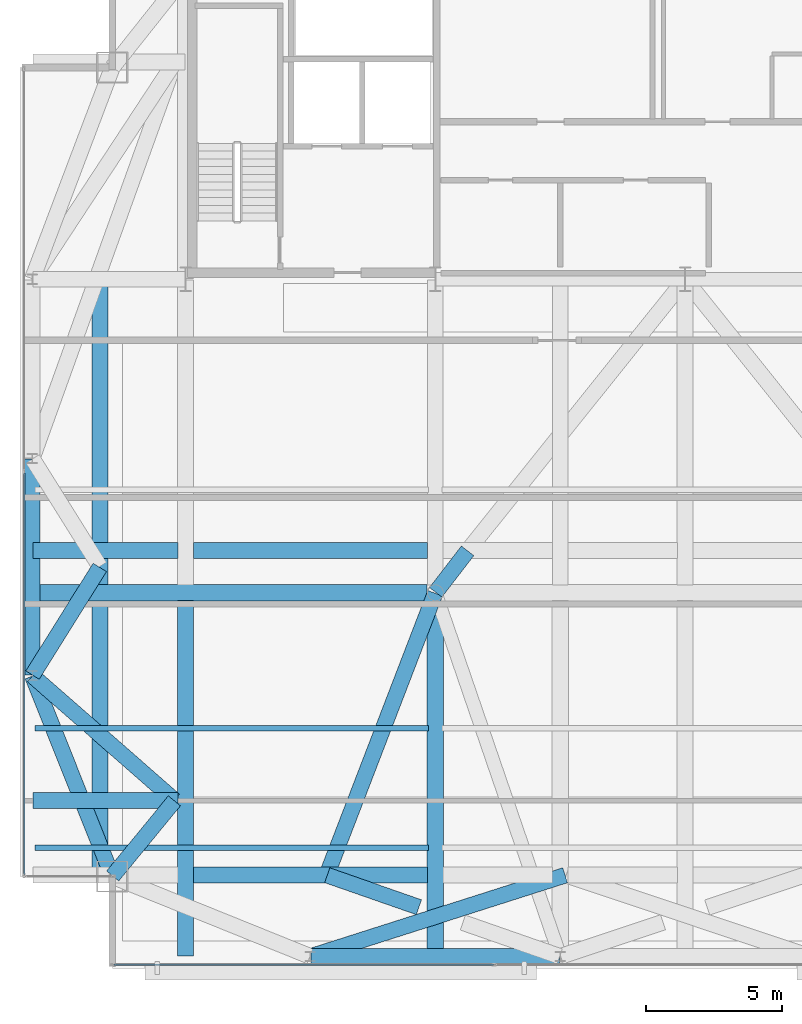
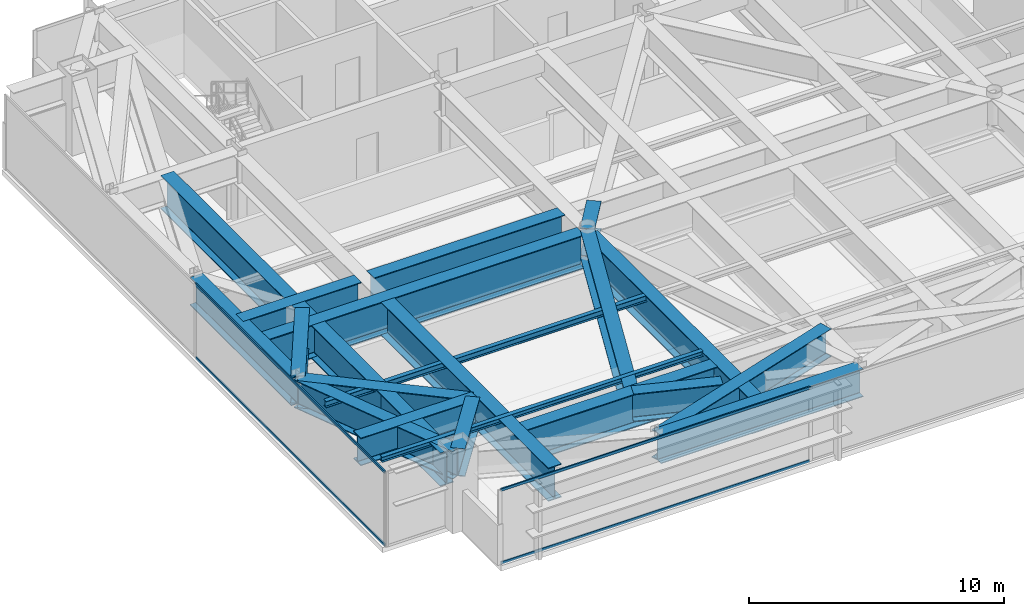
# One storey, part 5 of 23: 20 beams, 4 members, 2 elements without a shape of their own.
"""IFC4 building model written with IfcOpenShell, lengths in metres."""

from ifc_helpers import new_model, si_unit, direction, frame, origin, origin_2d, place, context, subcontext, project, spatial, hollow_rectangle, i_section, extrude, source, transform, mapped, material, layer, layer_set, material_profile, profile_set, type_object, type_shapes, element, aggregate, save


model = new_model("IFC4")

# Units and contexts
model_context = context("Model", 3, precision=1e-05, world=origin(), true_north=direction((0.0, 1.0)))
body_context = subcontext(model_context, "Body", "Model", "MODEL_VIEW")
ifc_project = project(units=[si_unit("LENGTHUNIT", "METRE"), si_unit("AREAUNIT", "SQUARE_METRE"), si_unit("VOLUMEUNIT", "CUBIC_METRE"), si_unit("PLANEANGLEUNIT", "RADIAN"), si_unit("MASSUNIT", "GRAM", prefix="KILO")], contexts=[model_context])

# Site, building, storey
site_placement = place(None, origin())
site = spatial("IfcSite", under=ifc_project, at=site_placement, CompositionType="ELEMENT")
building_placement = place(site_placement, origin())
building = spatial("IfcBuilding", under=site, at=building_placement, Name="Varnel Quay Broadcast Tower", CompositionType="ELEMENT")
storey_placement = place(building_placement, frame((0.0, 0.0, 254.60009765625)))
storey = spatial("IfcBuildingStorey", under=building, at=storey_placement, Name="L63", CompositionType="ELEMENT", Elevation=254.60009765625)

# Beams
ifc_material_1 = material(Name="Structural Steel CSA G40.21 350WT", Category="steel")
ifc_material_profile_1 = material_profile(ifc_material_1, i_section(OverallWidth=0.580078125, OverallDepth=1.330078125, WebThickness=0.02197265625, FlangeThickness=0.0380859375, FilletRadius=0.02001953125, at=origin_2d()), Name="WWF1330X535")
ifc_profile_set_1 = profile_set([ifc_material_profile_1], Name="Structural Steel CSA G40.21 350WT")
beam_type_1 = type_object("IfcBeamType", Name="Girder_WWF1330X535", PredefinedType="BEAM", material=ifc_profile_set_1)
shared_shape_1 = source(origin(), body_context, "Body", "SweptSolid", [
    extrude(i_section(OverallWidth=0.580078125, OverallDepth=1.330078125, WebThickness=0.02197265625, FlangeThickness=0.0380859375, FilletRadius=0.02001953125, at=origin_2d()), origin(), (0.0, 0.0, 1.0), 9.159912109375),
])
beam_1_placement = place(storey_placement, frame((20.219970703125, 10.64990234375, 2.885009765625), z_axis=(1.0, 0.0, 0.0), x_axis=(0.0, 1.0, 0.0)))
element("IfcBeam", 1, at=beam_1_placement, inside=storey, type_object=beam_type_1, Name="L63 Perimeter Transfer Spine TC-S1-TC-S2", PredefinedType="BEAM", context=body_context, shape_type="MappedRepresentation", body=[
    mapped(shared_shape_1, transform((0.0, 0.0, 0.0), x_axis=(1.0, 0.0, 0.0), y_axis=(0.0, 1.0, 0.0), z_axis=(0.0, 0.0, 1.0), scale=1.0)),
])
ifc_material_profile_2 = material_profile(ifc_material_1, i_section(OverallWidth=0.60009765625, OverallDepth=1.60009765625, WebThickness=0.02392578125, FlangeThickness=0.0419921875, FilletRadius=0.02197265625, at=origin_2d()), Name="WWF1600X620")
ifc_profile_set_2 = profile_set([ifc_material_profile_2], Name="Structural Steel CSA G40.21 350WT")
beam_type_2 = type_object("IfcBeamType", Name="Girder_WWF1600X620", PredefinedType="BEAM", material=ifc_profile_set_2)
shared_shape_2 = source(origin(), body_context, "Body", "SweptSolid", [
    extrude(i_section(OverallWidth=0.60009765625, OverallDepth=1.60009765625, WebThickness=0.02392578125, FlangeThickness=0.0419921875, FilletRadius=0.02197265625, at=origin_2d()), origin(), (0.0, 0.0, 1.0), 8.6298828125),
])
beam_2_placement = place(storey_placement, frame((15.885009765625, 13.64990234375, 2.75), z_axis=(1.0, 0.0, 0.0), x_axis=(0.0, 1.0, 0.0)))
element("IfcBeam", 2, at=beam_2_placement, inside=storey, type_object=beam_type_2, Name="L63 Setback South Transfer Header 2", PredefinedType="BEAM", context=body_context, shape_type="MappedRepresentation", body=[
    mapped(shared_shape_2, transform((0.0, 0.0, 0.0), x_axis=(1.0, 0.0, 0.0), y_axis=(0.0, 1.0, 0.0), z_axis=(0.0, 0.0, 1.0), scale=1.0)),
])
shared_shape_3 = source(origin(), body_context, "Body", "SweptSolid", [
    extrude(i_section(OverallWidth=0.580078125, OverallDepth=1.330078125, WebThickness=0.02197265625, FlangeThickness=0.0380859375, FilletRadius=0.02001953125, at=origin_2d()), origin(), (0.0, 0.0, 1.0), 8.6298828125),
])
beam_3_placement = place(storey_placement, frame((15.885009765625, 25.610107421875, 2.885009765625), z_axis=(1.0, 0.0, 0.0), x_axis=(0.0, 1.0, 0.0)))
element("IfcBeam", 3, at=beam_3_placement, inside=storey, type_object=beam_type_1, Name="L63 Setback Interior Column Transfer 2", PredefinedType="BEAM", context=body_context, shape_type="MappedRepresentation", body=[
    mapped(shared_shape_3, transform((0.0, 0.0, 0.0), x_axis=(1.0, 0.0, 0.0), y_axis=(0.0, 1.0, 0.0), z_axis=(0.0, 0.0, 1.0), scale=1.0)),
])
shared_shape_4 = source(origin(), body_context, "Body", "SweptSolid", [
    extrude(i_section(OverallWidth=0.580078125, OverallDepth=1.330078125, WebThickness=0.02197265625, FlangeThickness=0.0380859375, FilletRadius=0.02001953125, at=origin_2d()), origin(), (0.0, 0.0, 1.0), 7.92626953125),
])
beam_4_placement = place(storey_placement, frame((12.892578125, 13.61865234375, 2.885009765625), z_axis=(-0.370296431883, 0.928913641053, 0.0), x_axis=(-0.928913641053, -0.370296431883, 0.0)))
element("IfcBeam", 4, at=beam_4_placement, inside=storey, type_object=beam_type_1, Name="L63 West Transfer Spine MC-SW-TC-W1", PredefinedType="BEAM", context=body_context, shape_type="MappedRepresentation", body=[
    mapped(shared_shape_4, transform((0.0, 0.0, 0.0), x_axis=(1.0, 0.0, 0.0), y_axis=(0.0, 1.0, 0.0), z_axis=(0.0, 0.0, 1.0), scale=1.0)),
])
shared_shape_5 = source(origin(), body_context, "Body", "SweptSolid", [
    extrude(i_section(OverallWidth=0.580078125, OverallDepth=1.330078125, WebThickness=0.02197265625, FlangeThickness=0.0380859375, FilletRadius=0.02001953125, at=origin_2d()), origin(), (0.0, 0.0, 1.0), 7.9599609375),
])
beam_5_placement = place(storey_placement, frame((9.949951171875, 21.02001953125, 2.885009765625), z_axis=(0.0, 1.0, 0.0), x_axis=(-1.0, 0.0, 0.0)))
element("IfcBeam", 5, at=beam_5_placement, inside=storey, type_object=beam_type_1, Name="L63 West Transfer Spine TC-W1-TC-W2", PredefinedType="BEAM", context=body_context, shape_type="MappedRepresentation", body=[
    mapped(shared_shape_5, transform((0.0, 0.0, 0.0), x_axis=(1.0, 0.0, 0.0), y_axis=(0.0, 1.0, 0.0), z_axis=(0.0, 0.0, 1.0), scale=1.0)),
])
shared_shape_6 = source(origin(), body_context, "Body", "SweptSolid", [
    extrude(i_section(OverallWidth=0.60009765625, OverallDepth=1.60009765625, WebThickness=0.02392578125, FlangeThickness=0.0419921875, FilletRadius=0.02197265625, at=origin_2d()), origin(), (0.0, 0.0, 1.0), 14.525146484375),
])
beam_6_placement = place(storey_placement, frame((9.969970703125, 24.050048828125, 2.75), z_axis=(1.0, 0.0, 0.0), x_axis=(0.0, 1.0, 0.0)))
element("IfcBeam", 6, at=beam_6_placement, inside=storey, type_object=beam_type_2, Name="L63 Mid Transfer Spine W", PredefinedType="BEAM", context=body_context, shape_type="MappedRepresentation", body=[
    mapped(shared_shape_6, transform((0.0, 0.0, 0.0), x_axis=(1.0, 0.0, 0.0), y_axis=(0.0, 1.0, 0.0), z_axis=(0.0, 0.0, 1.0), scale=1.0)),
])
shared_shape_7 = source(origin(), body_context, "Body", "SweptSolid", [
    extrude(i_section(OverallWidth=0.60009765625, OverallDepth=1.60009765625, WebThickness=0.02392578125, FlangeThickness=0.0419921875, FilletRadius=0.02197265625, at=origin_2d()), origin(), (0.0, 0.0, 1.0), 13.094970703125),
])
for number, where, z_axis, x_axis, name in (
    (7, (15.60009765625, 10.669921875, 2.75), (0.0, 1.0, 0.0), (-1.0, 0.0, 0.0), "L63 N-S Transfer Girder 1A"),
    (8, (24.800048828125, 10.669921875, 2.75), (0.0, 1.0, 0.0), (-1.0, 0.0, 0.0), "L63 N-S Transfer Girder 2A"),
):
    element("IfcBeam", number, at=place(storey_placement, frame(where, z_axis=z_axis, x_axis=x_axis)), inside=storey, type_object=beam_type_2, Name=name, PredefinedType="BEAM", context=body_context, shape_type="MappedRepresentation", body=[
        mapped(shared_shape_7, transform((0.0, 0.0, 0.0), x_axis=(1.0, 0.0, 0.0), y_axis=(0.0, 1.0, 0.0), z_axis=(0.0, 0.0, 1.0), scale=1.0)),
    ])
shared_shape_8 = source(origin(), body_context, "Body", "SweptSolid", [
    extrude(i_section(OverallWidth=0.580078125, OverallDepth=1.330078125, WebThickness=0.02197265625, FlangeThickness=0.0380859375, FilletRadius=0.02001953125, at=origin_2d()), origin(), (0.0, 0.0, 1.0), 5.344970703125),
])
for number, where, z_axis, x_axis, name in (
    (9, (9.969970703125, 16.39990234375, 2.885009765625), (1.0, 0.0, 0.0), (0.0, 1.0, 0.0), "L63 Setback Corner South Transfer 1"),
    (10, (9.969970703125, 25.610107421875, 2.885009765625), (1.0, 0.0, 0.0), (0.0, 1.0, 0.0), "L63 Setback Interior Column Transfer 1"),
):
    element("IfcBeam", number, at=place(storey_placement, frame(where, z_axis=z_axis, x_axis=x_axis)), inside=storey, type_object=beam_type_1, Name=name, PredefinedType="BEAM", context=body_context, shape_type="MappedRepresentation", body=[
        mapped(shared_shape_8, transform((0.0, 0.0, 0.0), x_axis=(1.0, 0.0, 0.0), y_axis=(0.0, 1.0, 0.0), z_axis=(0.0, 0.0, 1.0), scale=1.0)),
    ])
shared_shape_9 = source(origin(), body_context, "Body", "SweptSolid", [
    extrude(i_section(OverallWidth=0.60009765625, OverallDepth=1.60009765625, WebThickness=0.02392578125, FlangeThickness=0.0419921875, FilletRadius=0.02197265625, at=origin_2d()), origin(), (0.0, 0.0, 1.0), 21.91015625),
])
type_shapes(beam_type_2, [shared_shape_2, shared_shape_6, shared_shape_7, shared_shape_9])
beam_7_placement = place(storey_placement, frame((12.449951171875, 13.669921875, 2.75), z_axis=(0.0, 1.0, 0.0), x_axis=(-1.0, 0.0, 0.0)))
element("IfcBeam", 11, at=beam_7_placement, inside=storey, type_object=beam_type_2, Name="L63 Setback West Transfer Header", PredefinedType="BEAM", context=body_context, shape_type="MappedRepresentation", body=[
    mapped(shared_shape_9, transform((0.0, 0.0, 0.0), x_axis=(1.0, 0.0, 0.0), y_axis=(0.0, 1.0, 0.0), z_axis=(0.0, 0.0, 1.0), scale=1.0)),
])
shared_shape_10 = source(origin(), body_context, "Body", "SweptSolid", [
    extrude(i_section(OverallWidth=0.580078125, OverallDepth=1.330078125, WebThickness=0.02197265625, FlangeThickness=0.0380859375, FilletRadius=0.02001953125, at=origin_2d()), origin(), (0.0, 0.0, 1.0), 3.58349609375),
])
beam_8_placement = place(storey_placement, frame((12.91259765625, 13.615478515625, 2.885009765625), z_axis=(0.63475395181, 0.772714320213, 0.0), x_axis=(-0.772714320213, 0.63475395181, 0.0)))
element("IfcBeam", 12, at=beam_8_placement, inside=storey, type_object=beam_type_1, Name="L63 Nodal Transfer Tie MC-SW-MC-SW", PredefinedType="BEAM", context=body_context, shape_type="MappedRepresentation", body=[
    mapped(shared_shape_10, transform((0.0, 0.0, 0.0), x_axis=(1.0, 0.0, 0.0), y_axis=(0.0, 1.0, 0.0), z_axis=(0.0, 0.0, 1.0), scale=1.0)),
])
shared_shape_11 = source(origin(), body_context, "Body", "SweptSolid", [
    extrude(i_section(OverallWidth=0.580078125, OverallDepth=1.330078125, WebThickness=0.02197265625, FlangeThickness=0.0380859375, FilletRadius=0.02001953125, at=origin_2d()), origin(), (0.0, 0.0, 1.0), 6.940185546875),
])
beam_9_placement = place(storey_placement, frame((9.965087890625, 20.98681640625, 2.885009765625), z_axis=(0.75212979861, -0.659014996827, 0.0), x_axis=(0.659014996827, 0.75212979861, 0.0)))
element("IfcBeam", 13, at=beam_9_placement, inside=storey, type_object=beam_type_1, Name="L63 Nodal Transfer Tie MC-SW-TC-W1", PredefinedType="BEAM", context=body_context, shape_type="MappedRepresentation", body=[
    mapped(shared_shape_11, transform((0.0, 0.0, 0.0), x_axis=(1.0, 0.0, 0.0), y_axis=(0.0, 1.0, 0.0), z_axis=(0.0, 0.0, 1.0), scale=1.0)),
])
shared_shape_12 = source(origin(), body_context, "Body", "SweptSolid", [
    extrude(i_section(OverallWidth=0.580078125, OverallDepth=1.330078125, WebThickness=0.02197265625, FlangeThickness=0.0380859375, FilletRadius=0.02001953125, at=origin_2d()), origin(), (0.0, 0.0, 1.0), 11.1025390625),
])
beam_10_placement = place(storey_placement, frame((24.792724609375, 24.03125, 2.885009765625), z_axis=(-0.358979079309, -0.933345606203, 0.0), x_axis=(0.933345606203, -0.358979079309, 0.0)))
element("IfcBeam", 14, at=beam_10_placement, inside=storey, type_object=beam_type_1, Name="L63 Nodal Transfer Tie TC-S1-IC-01", PredefinedType="BEAM", context=body_context, shape_type="MappedRepresentation", body=[
    mapped(shared_shape_12, transform((0.0, 0.0, 0.0), x_axis=(1.0, 0.0, 0.0), y_axis=(0.0, 1.0, 0.0), z_axis=(0.0, 0.0, 1.0), scale=1.0)),
])
shared_shape_13 = source(origin(), body_context, "Body", "SweptSolid", [
    extrude(i_section(OverallWidth=0.580078125, OverallDepth=1.330078125, WebThickness=0.02197265625, FlangeThickness=0.0380859375, FilletRadius=0.02001953125, at=origin_2d()), origin(), (0.0, 0.0, 1.0), 4.6767578125),
])
beam_11_placement = place(storey_placement, frame((9.960693359375, 21.01708984375, 2.885009765625), z_axis=(0.530017709514, 0.847986572772, 0.0), x_axis=(-0.847986572772, 0.530017709514, 0.0)))
element("IfcBeam", 15, at=beam_11_placement, inside=storey, type_object=beam_type_1, Name="L63 Nodal Transfer Tie TC-W1-TC-W1", PredefinedType="BEAM", context=body_context, shape_type="MappedRepresentation", body=[
    mapped(shared_shape_13, transform((0.0, 0.0, 0.0), x_axis=(1.0, 0.0, 0.0), y_axis=(0.0, 1.0, 0.0), z_axis=(0.0, 0.0, 1.0), scale=1.0)),
])
shared_shape_14 = source(origin(), body_context, "Body", "SweptSolid", [
    extrude(i_section(OverallWidth=0.580078125, OverallDepth=1.330078125, WebThickness=0.02197265625, FlangeThickness=0.0380859375, FilletRadius=0.02001953125, at=origin_2d()), origin(), (0.0, 0.0, 1.0), 1.927978515625),
])
beam_12_placement = place(storey_placement, frame((24.812255859375, 24.06591796875, 2.885009765625), z_axis=(0.609741359621, 0.792600450648, 0.0), x_axis=(-0.792600450648, 0.609741359621, 0.0)))
element("IfcBeam", 16, at=beam_12_placement, inside=storey, type_object=beam_type_1, Name="L63 Nodal Transfer Tie IC-01-IC-01", PredefinedType="BEAM", context=body_context, shape_type="MappedRepresentation", body=[
    mapped(shared_shape_14, transform((0.0, 0.0, 0.0), x_axis=(1.0, 0.0, 0.0), y_axis=(0.0, 1.0, 0.0), z_axis=(0.0, 0.0, 1.0), scale=1.0)),
])
shared_shape_15 = source(origin(), body_context, "Body", "SweptSolid", [
    extrude(i_section(OverallWidth=0.580078125, OverallDepth=1.330078125, WebThickness=0.02197265625, FlangeThickness=0.0380859375, FilletRadius=0.02001953125, at=origin_2d()), origin(), (0.0, 0.0, 1.0), 3.574462890625),
])
beam_13_placement = place(storey_placement, frame((24.19384765625, 12.466064453125, 2.885009765625), z_axis=(-0.944207097064, 0.329352330877, 0.0), x_axis=(-0.329352330877, -0.944207097064, 0.0)))
element("IfcBeam", 17, at=beam_13_placement, inside=storey, type_object=beam_type_1, Name="L63 X-Braced Transfer Tie TC-S1-TC-S2 Part 2", PredefinedType="BEAM", context=body_context, shape_type="MappedRepresentation", body=[
    mapped(shared_shape_15, transform((0.0, 0.0, 0.0), x_axis=(1.0, 0.0, 0.0), y_axis=(0.0, 1.0, 0.0), z_axis=(0.0, 0.0, 1.0), scale=1.0)),
])
shared_shape_16 = source(origin(), body_context, "Body", "SweptSolid", [
    extrude(i_section(OverallWidth=0.580078125, OverallDepth=1.330078125, WebThickness=0.02197265625, FlangeThickness=0.0380859375, FilletRadius=0.02001953125, at=origin_2d()), origin(), (0.0, 0.0, 1.0), 9.8271484375),
])
type_shapes(beam_type_1, [shared_shape_1, shared_shape_3, shared_shape_4, shared_shape_5, shared_shape_8, shared_shape_10, shared_shape_11, shared_shape_12, shared_shape_13, shared_shape_14, shared_shape_15, shared_shape_16])
beam_14_placement = place(storey_placement, frame((20.218994140625, 10.656005859375, 2.885009765625), z_axis=(0.952659823635, 0.304038254881, 0.0), x_axis=(-0.304038254881, 0.952659823635, 0.0)))
element("IfcBeam", 18, at=beam_14_placement, inside=storey, type_object=beam_type_1, Name="L63 X-Braced Transfer Tie TC-S2-TC-S1", PredefinedType="BEAM", context=body_context, shape_type="MappedRepresentation", body=[
    mapped(shared_shape_16, transform((0.0, 0.0, 0.0), x_axis=(1.0, 0.0, 0.0), y_axis=(0.0, 1.0, 0.0), z_axis=(0.0, 0.0, 1.0), scale=1.0)),
])
ifc_material_2 = material(Name="Structural Steel CSA G40.21 350W", Category="steel")
ifc_material_profile_3 = material_profile(ifc_material_2, i_section(OverallWidth=0.201904296875, OverallDepth=0.2470703125, WebThickness=0.00732421875, FlangeThickness=0.010986328125, FilletRadius=0.010986328125, at=origin_2d()), Name="W250X49")
ifc_profile_set_3 = profile_set([ifc_material_profile_3], Name="Structural Steel CSA G40.21 350W")
beam_type_3 = type_object("IfcBeamType", Name="Beam_W250X49", PredefinedType="JOIST", material=ifc_profile_set_3)
shared_shape_17 = source(origin(), body_context, "Body", "SweptSolid", [
    extrude(i_section(OverallWidth=0.201904296875, OverallDepth=0.2470703125, WebThickness=0.00732421875, FlangeThickness=0.010986328125, FilletRadius=0.010986328125, at=origin_2d()), origin(), (0.0, 0.0, 1.0), 14.50732421875),
])
type_shapes(beam_type_3, [shared_shape_17])
beam_15_placement = place(storey_placement, frame((10.047607421875, 14.64990234375, 3.426513671875), z_axis=(1.0, 0.0, 0.0), x_axis=(0.0, 1.0, 0.0)))
element("IfcBeam", 19, at=beam_15_placement, inside=storey, type_object=beam_type_3, Name="L63 West Floor Joist 1", PredefinedType="JOIST", context=body_context, shape_type="MappedRepresentation", body=[
    mapped(shared_shape_17, transform((0.0, 0.0, 0.0), x_axis=(1.0, 0.0, 0.0), y_axis=(0.0, 1.0, 0.0), z_axis=(0.0, 0.0, 1.0), scale=1.0)),
])
ifc_material_profile_4 = material_profile(ifc_material_2, i_section(OverallWidth=0.202880859375, OverallDepth=0.302978515625, WebThickness=0.007568359375, FlangeThickness=0.01318359375, FilletRadius=0.011962890625, at=origin_2d()), Name="W310X60")
ifc_profile_set_4 = profile_set([ifc_material_profile_4], Name="Structural Steel CSA G40.21 350W")
beam_type_4 = type_object("IfcBeamType", Name="Beam_W310X60", PredefinedType="JOIST", material=ifc_profile_set_4)
shared_shape_18 = source(origin(), body_context, "Body", "SweptSolid", [
    extrude(i_section(OverallWidth=0.202880859375, OverallDepth=0.302978515625, WebThickness=0.007568359375, FlangeThickness=0.01318359375, FilletRadius=0.011962890625, at=origin_2d()), origin(), (0.0, 0.0, 1.0), 14.50732421875),
])
type_shapes(beam_type_4, [shared_shape_18])
beam_16_placement = place(storey_placement, frame((10.047607421875, 19.050048828125, 3.3984375), z_axis=(1.0, 0.0, 0.0), x_axis=(0.0, 1.0, 0.0)))
element("IfcBeam", 20, at=beam_16_placement, inside=storey, type_object=beam_type_4, Name="L63 West Floor Joist 2", PredefinedType="JOIST", context=body_context, shape_type="MappedRepresentation", body=[
    mapped(shared_shape_18, transform((0.0, 0.0, 0.0), x_axis=(1.0, 0.0, 0.0), y_axis=(0.0, 1.0, 0.0), z_axis=(0.0, 0.0, 1.0), scale=1.0)),
])

# Curtain wall, members
ifc_material_3 = material(Name="Anodised Bronze Aluminium 6063-T6", Category="aluminium")
ifc_layer = layer(ifc_material_3, 0.18994140625, Name="Anodised Bronze Aluminium 6063-T6")
ifc_layer_set = layer_set([ifc_layer], Name="Anodised Bronze Aluminium 6063-T6")
curtain_wall_type = type_object("IfcCurtainWallType", Name="CW_UpperTower", PredefinedType="NOTDEFINED", material=ifc_layer_set)
curtain_wall_1_placement = place(storey_placement, origin())
curtain_wall_1 = element("IfcCurtainWall", 21, at=curtain_wall_1_placement, inside=storey, type_object=curtain_wall_type, Name="L63 West Unitised Curtain Wall", PredefinedType="NOTDEFINED")
ifc_material_profile_5 = material_profile(ifc_material_3, hollow_rectangle(XDim=0.06005859375, YDim=0.125, WallThickness=0.0029296875, at=origin_2d()), Name="ALU60X125X3")
ifc_profile_set_5 = profile_set([ifc_material_profile_5], Name="Anodised Bronze Aluminium 6063-T6")
member_type = type_object("IfcMemberType", Name="Tran_CWS-03", PredefinedType="USERDEFINED", material=ifc_profile_set_5)
shared_shape_19 = source(origin(), body_context, "Body", "SweptSolid", [
    extrude(hollow_rectangle(XDim=0.06005859375, YDim=0.125, WallThickness=0.0029296875, at=origin_2d()), origin(), (0.0, 0.0, 1.0), 14.802490234375),
])
member_1_placement = place(storey_placement, frame((9.64990234375, 13.6650390625, 0.02978515625), z_axis=(0.0, 1.0, 0.0), x_axis=(-1.0, 0.0, 0.0)))
member_1 = element("IfcMember", 22, at=member_1_placement, type_object=member_type, Name="CWS-03 transom 1.1", ObjectType="TRANSOM", PredefinedType="USERDEFINED", context=body_context, shape_type="MappedRepresentation", body=[
    mapped(shared_shape_19, transform((0.0, 0.0, 0.0), x_axis=(1.0, 0.0, 0.0), y_axis=(0.0, 1.0, 0.0), z_axis=(0.0, 0.0, 1.0), scale=1.0)),
])
member_2_placement = place(storey_placement, frame((9.64990234375, 13.6650390625, 3.52001953125), z_axis=(0.0, 1.0, 0.0), x_axis=(-1.0, 0.0, 0.0)))
member_2 = element("IfcMember", 23, at=member_2_placement, type_object=member_type, Name="CWS-03 transom 1.2", ObjectType="TRANSOM", PredefinedType="USERDEFINED", context=body_context, shape_type="MappedRepresentation", body=[
    mapped(shared_shape_19, transform((0.0, 0.0, 0.0), x_axis=(1.0, 0.0, 0.0), y_axis=(0.0, 1.0, 0.0), z_axis=(0.0, 0.0, 1.0), scale=1.0)),
])
aggregate(curtain_wall_1, [member_1, member_2])

curtain_wall_2_placement = place(storey_placement, origin())
curtain_wall_2 = element("IfcCurtainWall", 24, at=curtain_wall_2_placement, inside=storey, type_object=curtain_wall_type, Name="L63 South Unitised Curtain Wall 1", PredefinedType="NOTDEFINED")
shared_shape_20 = source(origin(), body_context, "Body", "SweptSolid", [
    extrude(hollow_rectangle(XDim=0.06005859375, YDim=0.125, WallThickness=0.0029296875, at=origin_2d()), origin(), (0.0, 0.0, 1.0), 13.968994140625),
])
type_shapes(member_type, [shared_shape_19, shared_shape_20])
member_3_placement = place(storey_placement, frame((12.965087890625, 10.35009765625, 0.02978515625), z_axis=(1.0, 0.0, 0.0), x_axis=(0.0, 1.0, 0.0)))
member_3 = element("IfcMember", 25, at=member_3_placement, type_object=member_type, Name="CWS-03 transom 1.1", ObjectType="TRANSOM", PredefinedType="USERDEFINED", context=body_context, shape_type="MappedRepresentation", body=[
    mapped(shared_shape_20, transform((0.0, 0.0, 0.0), x_axis=(1.0, 0.0, 0.0), y_axis=(0.0, 1.0, 0.0), z_axis=(0.0, 0.0, 1.0), scale=1.0)),
])
member_4_placement = place(storey_placement, frame((12.965087890625, 10.35009765625, 3.52001953125), z_axis=(1.0, 0.0, 0.0), x_axis=(0.0, 1.0, 0.0)))
member_4 = element("IfcMember", 26, at=member_4_placement, type_object=member_type, Name="CWS-03 transom 1.2", ObjectType="TRANSOM", PredefinedType="USERDEFINED", context=body_context, shape_type="MappedRepresentation", body=[
    mapped(shared_shape_20, transform((0.0, 0.0, 0.0), x_axis=(1.0, 0.0, 0.0), y_axis=(0.0, 1.0, 0.0), z_axis=(0.0, 0.0, 1.0), scale=1.0)),
])
aggregate(curtain_wall_2, [member_3, member_4])

save(model, "model.ifc")
